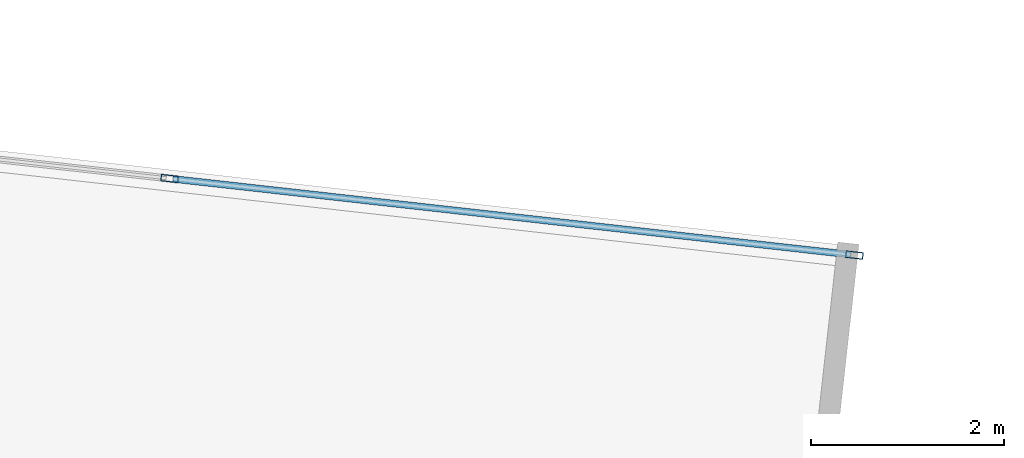
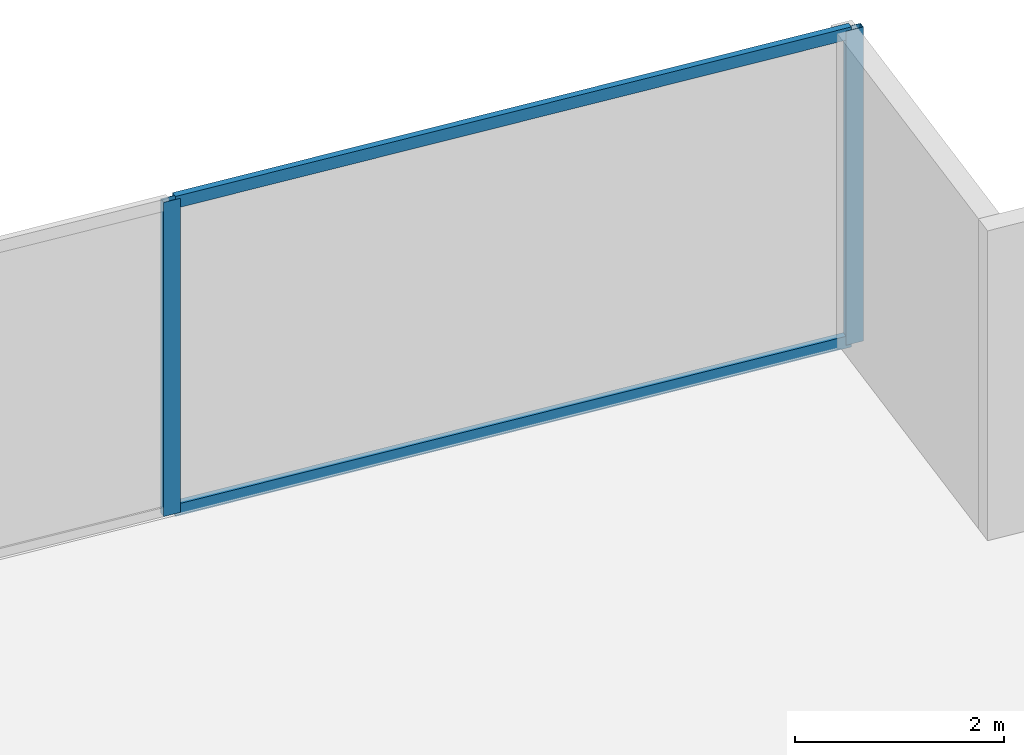
# One storey, part 23 of 31: 4 members, 1 element without a shape of its own.
"""IFC4 building model written with IfcOpenShell, lengths in metres."""

import ifcopenshell
import ifcopenshell.guid

model = None  # the IFC model being written
_history = None  # IfcOwnerHistory: only IFC2X3 demands one
_inside = {}  # id of a spatial element -> (the spatial element, [elements in it])
_under = {}  # id of a project, library or spatial element -> (it, [spatial elements below it])
_declared = {}  # id of a project -> (the project, [libraries it declares])
_typed = {}  # id of a type object -> (the type object, [elements of that type])
_made_of = {}  # id of a material, layer set ... -> (it, [elements and type objects made of it])


def new_model(schema):
    """Start an empty IFC model of exactly this schema.

    Asked for "IFC4X3", IfcOpenShell would pick the latest addendum, in which some entities
    have other attributes; the version numbers below select the first issue.
    IFC2X3 requires an IfcOwnerHistory on every rooted entity: one is made here for all.
    """
    global model, _history
    if schema == "IFC4X3":
        model = ifcopenshell.file(schema_version=(4, 3, 0, 0))
    else:
        model = ifcopenshell.file(schema=schema)
    _inside.clear()
    _under.clear()
    _declared.clear()
    _typed.clear()
    _made_of.clear()
    _history = None
    if model.schema == "IFC2X3":
        org = make("IfcOrganization", Name="unknown")
        user = make(
            "IfcPersonAndOrganization",
            ThePerson=make("IfcPerson", FamilyName="unknown"),
            TheOrganization=org,
        )
        app = make(
            "IfcApplication",
            ApplicationDeveloper=org,
            Version="unknown",
            ApplicationFullName="unknown",
            ApplicationIdentifier="unknown",
        )
        _history = make(
            "IfcOwnerHistory",
            OwningUser=user,
            OwningApplication=app,
            ChangeAction="ADDED",
            CreationDate=0,
        )
    return model


def make(cls, **values):
    """One entity of the class cls with the attributes given. An attribute that is None is left unset."""
    return model.create_entity(
        cls, **{name: value for name, value in values.items() if value is not None}
    )


def rooted(cls, **values):
    """An entity with a GlobalId (a new one), such as an element, a storey or a relation."""
    return make(cls, GlobalId=ifcopenshell.guid.new(), OwnerHistory=_history, **values)


def si_unit(unit_type, name, prefix=None):
    """IfcSIUnit, for example si_unit("LENGTHUNIT", "METRE", prefix="MILLI")."""
    return make("IfcSIUnit", UnitType=unit_type, Prefix=prefix, Name=name)


def assignment(units):
    """IfcUnitAssignment: the units of a project."""
    return None if units is None else make("IfcUnitAssignment", Units=units)


def point(xyz):
    """IfcCartesianPoint."""
    return None if xyz is None else make("IfcCartesianPoint", Coordinates=xyz)


def direction(xyz):
    """IfcDirection."""
    return None if xyz is None else make("IfcDirection", DirectionRatios=xyz)


def frame(location, z_axis=None, x_axis=None):
    """IfcAxis2Placement3D, a coordinate frame: its origin and axes. An axis left out is left unset."""
    return make(
        "IfcAxis2Placement3D",
        Location=point(location),
        Axis=direction(z_axis),
        RefDirection=direction(x_axis),
    )


def frame_2d(location, x_axis=None):
    """IfcAxis2Placement2D, a coordinate frame in the plane: its origin and x axis."""
    return make(
        "IfcAxis2Placement2D", Location=point(location), RefDirection=direction(x_axis)
    )


def origin():
    """The frame at (0, 0, 0) with its axes left unset."""
    return frame((0.0, 0.0, 0.0))


def origin_2d():
    """The frame at (0, 0) in the plane with its x axis left unset."""
    return frame_2d((0.0, 0.0))


def place(relative_to, where):
    """IfcLocalPlacement: puts the frame where relative to a parent placement (None: the world)."""
    return make(
        "IfcLocalPlacement", PlacementRelTo=relative_to, RelativePlacement=where
    )


def context(
    kind, dimensions, precision=None, world=None, true_north=None, identifier=None
):
    """IfcGeometricRepresentationContext, for example the 3D "Model" context."""
    return make(
        "IfcGeometricRepresentationContext",
        ContextIdentifier=identifier,
        ContextType=kind,
        CoordinateSpaceDimension=dimensions,
        Precision=precision,
        WorldCoordinateSystem=world,
        TrueNorth=true_north,
    )


def subcontext(parent, identifier, kind, view, scale=None):
    """IfcGeometricRepresentationSubContext, for example "Body" below "Model"."""
    return make(
        "IfcGeometricRepresentationSubContext",
        ContextIdentifier=identifier,
        ContextType=kind,
        ParentContext=parent,
        TargetScale=scale,
        TargetView=view,
    )


def project(units=None, contexts=None):
    """IfcProject with its units and contexts."""
    return rooted(
        "IfcProject",
        Name="project",
        RepresentationContexts=contexts,
        UnitsInContext=assignment(units),
    )


def spatial(cls, under=None, at=None, **own):
    """A site, building, storey or space (cls), placed at a placement, below another one or the project."""
    s = rooted(cls, ObjectPlacement=at, **own)
    if under is not None:
        _under.setdefault(under.id(), (under, []))[1].append(s)
    return s


def profile(cls, at=None, kind="AREA", **sizes):
    """A parametric profile (cls). Its sizes go by their IFC names, for example OverallWidth=200.0."""
    return make(cls, ProfileType=kind, Position=at, **sizes)


def hollow_rectangle(**sizes):
    """IfcRectangleHollowProfileDef."""
    return profile("IfcRectangleHollowProfileDef", **sizes)


def extrude(swept, where, along, depth):
    """IfcExtrudedAreaSolid: the profile swept, set in the frame where, extruded along a direction by depth."""
    return make(
        "IfcExtrudedAreaSolid",
        SweptArea=swept,
        Position=where,
        ExtrudedDirection=direction(along),
        Depth=depth,
    )


def shape(context_of_items, identifier, shape_type, items):
    """IfcShapeRepresentation: the items that make up one representation, for example the "Body"."""
    return make(
        "IfcShapeRepresentation",
        ContextOfItems=context_of_items,
        RepresentationIdentifier=identifier,
        RepresentationType=shape_type,
        Items=items,
    )


def source(mapping_origin, context_of_items, identifier, shape_type, items):
    """IfcRepresentationMap: a shape defined once, which mapped items show again and again."""
    return make(
        "IfcRepresentationMap",
        MappingOrigin=mapping_origin,
        MappedRepresentation=shape(context_of_items, identifier, shape_type, items),
    )


def transform(
    local_origin,
    x_axis=None,
    y_axis=None,
    z_axis=None,
    scale=None,
    scale2=None,
    scale3=None,
    uniform=True,
):
    """IfcCartesianTransformationOperator3D, or its non-uniform kind. x_axis, y_axis, z_axis: its Axis1, 2, 3."""
    if uniform:
        return make(
            "IfcCartesianTransformationOperator3D",
            Axis1=direction(x_axis),
            Axis2=direction(y_axis),
            LocalOrigin=point(local_origin),
            Scale=scale,
            Axis3=direction(z_axis),
        )
    return make(
        "IfcCartesianTransformationOperator3DnonUniform",
        Axis1=direction(x_axis),
        Axis2=direction(y_axis),
        LocalOrigin=point(local_origin),
        Scale=scale,
        Axis3=direction(z_axis),
        Scale2=scale2,
        Scale3=scale3,
    )


def mapped(mapping_source, mapping_target):
    """IfcMappedItem: shows the shape of a source again, moved by a transform."""
    return make(
        "IfcMappedItem", MappingSource=mapping_source, MappingTarget=mapping_target
    )


def material(Name=None, Category=None):
    """IfcMaterial."""
    return make("IfcMaterial", Name=Name, Category=Category)


def material_profile(
    of_material, cross_section, Name=None, Category=None, Priority=None
):
    """IfcMaterialProfile: a cross section and its material."""
    return make(
        "IfcMaterialProfile",
        Name=Name,
        Material=of_material,
        Profile=cross_section,
        Priority=Priority,
        Category=Category,
    )


def profile_set(profiles, Name=None, composite=None):
    """IfcMaterialProfileSet."""
    return make(
        "IfcMaterialProfileSet",
        Name=Name,
        MaterialProfiles=profiles,
        CompositeProfile=composite,
    )


def made_of(thing, what):
    """Note that an element or type object is made of a material, layer set ...; save() writes the relation."""
    if what is not None:
        _made_of.setdefault(what.id(), (what, []))[1].append(thing)
    return thing


def type_object(cls, material=None, **own):
    """A type object (cls), such as IfcWallType, which elements share."""
    return made_of(rooted(cls, **own), material)


def type_shapes(of_type, sources):
    """Give a type object the sources (RepresentationMaps) that its elements show as mapped items."""
    of_type.RepresentationMaps = sources


def element(
    cls,
    number,
    at=None,
    inside=None,
    cuts=None,
    type_object=None,
    material=None,
    context=None,
    identifier="Body",
    shape_type=None,
    held_by="IfcProductDefinitionShape",
    body=None,
    shapes=None,
    **own,
):
    """One element of the class cls, such as IfcWall. Its Tag is "e" and its number.

    at: its placement. inside: the storey or other place that contains it. cuts: it is an
    opening in that element (IfcRelVoidsElement). A single representation is given by context,
    identifier, shape_type and body (its items); several are given by shapes. held_by: the class
    of the entity that holds the representations. save() writes the other relations.
    """
    e = rooted(cls, Tag="e%d" % number, ObjectPlacement=at, **own)
    if body is not None:
        shapes = [shape(context, identifier, shape_type, body)]
    if shapes is not None:
        e.Representation = make(held_by, Representations=shapes)
    if inside is not None:
        _inside.setdefault(inside.id(), (inside, []))[1].append(e)
    if cuts is not None:
        rooted(
            "IfcRelVoidsElement", RelatingBuildingElement=cuts, RelatedOpeningElement=e
        )
    if type_object is not None:
        _typed.setdefault(type_object.id(), (type_object, []))[1].append(e)
    return made_of(e, material)


def aggregate(whole, parts):
    """IfcRelAggregates: a whole, such as a stair, and the parts it consists of."""
    return rooted("IfcRelAggregates", RelatingObject=whole, RelatedObjects=parts)


def save(model, path):
    """Write the relations noted so far, then the file.

    IfcRelAggregates (storeys below a building ...), IfcRelContainedInSpatialStructure (elements
    in a storey), IfcRelDefinesByType, IfcRelAssociatesMaterial and IfcRelDeclares: one each for
    every whole, place, type object, material and project.
    """
    for whole, parts in _under.values():
        aggregate(whole, parts)
    for where, things in _inside.values():
        rooted(
            "IfcRelContainedInSpatialStructure",
            RelatedElements=things,
            RelatingStructure=where,
        )
    for kind, things in _typed.values():
        rooted("IfcRelDefinesByType", RelatedObjects=things, RelatingType=kind)
    for what, things in _made_of.values():
        rooted("IfcRelAssociatesMaterial", RelatedObjects=things, RelatingMaterial=what)
    for by, libraries in _declared.values():
        rooted("IfcRelDeclares", RelatingContext=by, RelatedDefinitions=libraries)
    model.write(path)


model = new_model("IFC4")

# Units and contexts
model_context = context("Model", 3, precision=1e-05, world=origin(), true_north=direction((0.0, 1.0)))
body_context = subcontext(model_context, "Body", "Model", "MODEL_VIEW")
ifc_project = project(units=[si_unit("LENGTHUNIT", "METRE"), si_unit("AREAUNIT", "SQUARE_METRE"), si_unit("VOLUMEUNIT", "CUBIC_METRE"), si_unit("PLANEANGLEUNIT", "RADIAN"), si_unit("MASSUNIT", "GRAM", prefix="KILO")], contexts=[model_context])

# Site, building, storey
site_placement = place(None, origin())
site = spatial("IfcSite", under=ifc_project, at=site_placement, CompositionType="ELEMENT")
building_placement = place(site_placement, origin())
building = spatial("IfcBuilding", under=site, at=building_placement, Name="Krantzveldt Concourse Tower", CompositionType="ELEMENT")
storey_placement = place(building_placement, frame((0.0, 0.0, 56.60009765625)))
storey = spatial("IfcBuildingStorey", under=building, at=storey_placement, Name="L13", CompositionType="ELEMENT", Elevation=56.60009765625)

# Curtain wall, members
ifc_material = material(Name="Anodised aluminium 6063-T6", Category="aluminium")
curtain_wall_type = type_object("IfcCurtainWallType", Name="CW2", PredefinedType="USERDEFINED", material=ifc_material)
curtain_wall_placement = place(storey_placement, origin())
curtain_wall = element("IfcCurtainWall", 1, at=curtain_wall_placement, inside=storey, type_object=curtain_wall_type, Name="CW-L13-F10", ObjectType="UNITISED CURTAIN WALL", PredefinedType="USERDEFINED")
ifc_material_profile_1 = material_profile(ifc_material, hollow_rectangle(XDim=0.070068359375, YDim=0.179931640625, WallThickness=0.0048828125, at=origin_2d()), Name="Anodised aluminium 6063-T6", Category="aluminium")
ifc_profile_set_1 = profile_set([ifc_material_profile_1], Name="Anodised aluminium 6063-T6 - ALU-MULL 180x70x5")
member_type_1 = type_object("IfcMemberType", Name="CW-MUL-180", PredefinedType="MULLION", material=ifc_profile_set_1)
shared_shape_1 = source(origin(), body_context, "Body", "SweptSolid", [
    extrude(hollow_rectangle(XDim=0.070068359375, YDim=0.179931640625, WallThickness=0.0048828125, at=origin_2d()), origin(), (0.0, 0.0, 1.0), 3.669921875),
])
type_shapes(member_type_1, [shared_shape_1])
member_1_placement = place(storey_placement, frame((60.09814453125, 49.072509765625, 0.0), z_axis=(0.0, 0.0, 1.0), x_axis=(-0.111035342863, -0.993816458223, 0.0)))
member_1 = element("IfcMember", 2, at=member_1_placement, type_object=member_type_1, Name="CW-Z12 mullion 1", PredefinedType="MULLION", context=body_context, shape_type="MappedRepresentation", body=[
    mapped(shared_shape_1, transform((0.0, 0.0, 0.0), x_axis=(1.0, 0.0, 0.0), y_axis=(0.0, 1.0, 0.0), z_axis=(0.0, 0.0, 1.0), scale=1.0)),
])
member_2_placement = place(storey_placement, frame((53.010498046875, 49.864501953125, 0.0), z_axis=(0.0, 0.0, 1.0), x_axis=(-0.111035342863, -0.993816458223, 0.0)))
member_2 = element("IfcMember", 3, at=member_2_placement, type_object=member_type_1, Name="CW-Z12 mullion 2", PredefinedType="MULLION", context=body_context, shape_type="MappedRepresentation", body=[
    mapped(shared_shape_1, transform((0.0, 0.0, 0.0), x_axis=(1.0, 0.0, 0.0), y_axis=(0.0, 1.0, 0.0), z_axis=(0.0, 0.0, 1.0), scale=1.0)),
])
ifc_material_profile_2 = material_profile(ifc_material, hollow_rectangle(XDim=0.070068359375, YDim=0.139892578125, WallThickness=0.0048828125, at=origin_2d()), Name="Anodised aluminium 6063-T6", Category="aluminium")
ifc_profile_set_2 = profile_set([ifc_material_profile_2], Name="Anodised aluminium 6063-T6 - ALU-TRAN 140x70x5")
member_type_2 = type_object("IfcMemberType", Name="CW-TRN-150", PredefinedType="USERDEFINED", material=ifc_profile_set_2)
shared_shape_2 = source(origin(), body_context, "Body", "SweptSolid", [
    extrude(hollow_rectangle(XDim=0.070068359375, YDim=0.139892578125, WallThickness=0.0048828125, at=origin_2d()), origin(), (0.0, 0.0, 1.0), 7.061767578125),
])
type_shapes(member_type_2, [shared_shape_2])
member_3_placement = place(storey_placement, frame((60.0634765625, 49.076416015625, 0.034912109375), z_axis=(-0.993815243208, 0.111046217254, 0.0), x_axis=(-0.111046217254, -0.993815243208, 0.0)))
member_3 = element("IfcMember", 4, at=member_3_placement, type_object=member_type_2, Name="CW-Z12 transom 1.1", ObjectType="TRANSOM", PredefinedType="USERDEFINED", context=body_context, shape_type="MappedRepresentation", body=[
    mapped(shared_shape_2, transform((0.0, 0.0, 0.0), x_axis=(1.0, 0.0, 0.0), y_axis=(0.0, 1.0, 0.0), z_axis=(0.0, 0.0, 1.0), scale=1.0)),
])
member_4_placement = place(storey_placement, frame((60.0634765625, 49.076416015625, 3.635009765625), z_axis=(-0.993815243208, 0.111046217254, 0.0), x_axis=(-0.111046217254, -0.993815243208, 0.0)))
member_4 = element("IfcMember", 5, at=member_4_placement, type_object=member_type_2, Name="CW-Z12 transom 1.2", ObjectType="TRANSOM", PredefinedType="USERDEFINED", context=body_context, shape_type="MappedRepresentation", body=[
    mapped(shared_shape_2, transform((0.0, 0.0, 0.0), x_axis=(1.0, 0.0, 0.0), y_axis=(0.0, 1.0, 0.0), z_axis=(0.0, 0.0, 1.0), scale=1.0)),
])
aggregate(curtain_wall, [member_1, member_2, member_3, member_4])

save(model, "model.ifc")
